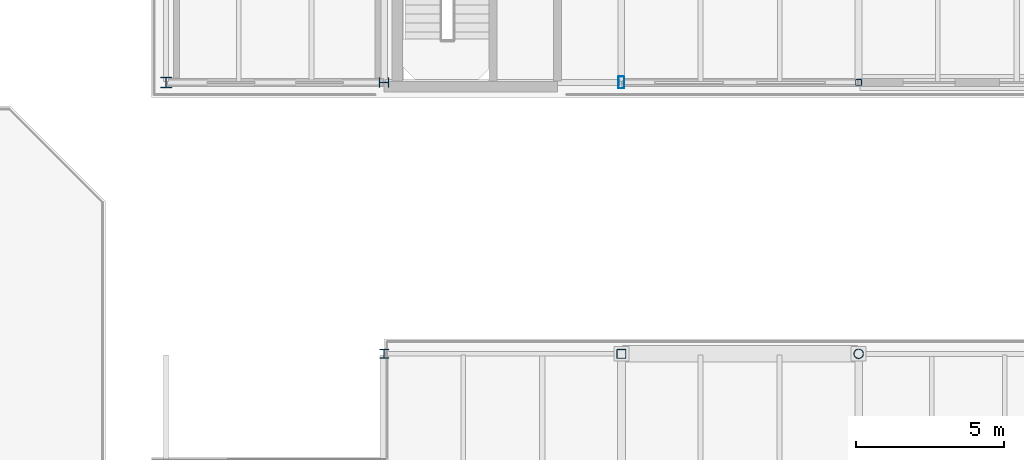
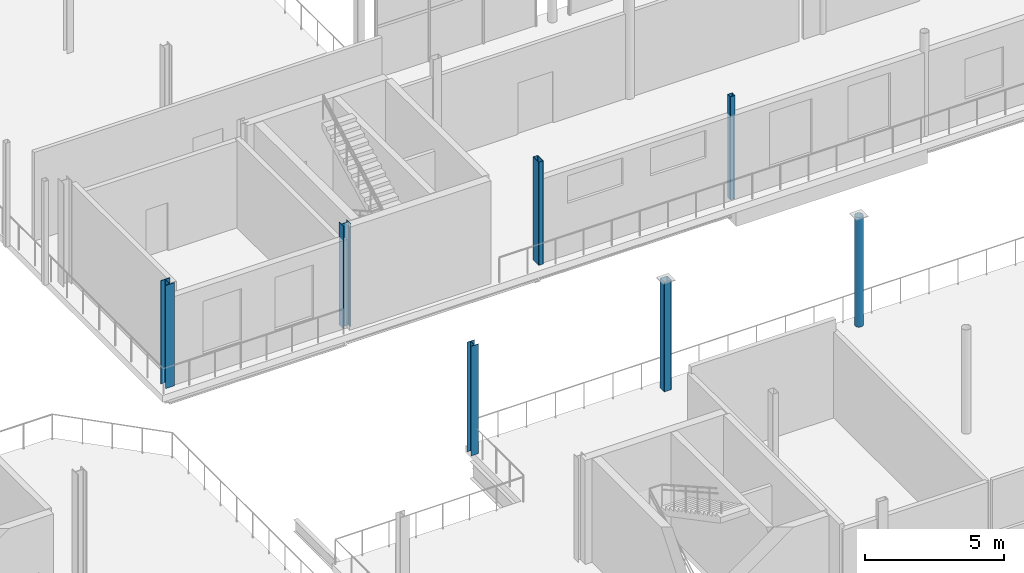
# One storey, part 23 of 93: 7 columns.
"""IFC4 building model written with IfcOpenShell, lengths in metres."""

from ifc_helpers import new_model, si_unit, direction, frame, origin, origin_2d, place, context, subcontext, project, spatial, hollow_rectangle, hollow_circle, i_section, extrude, material, material_profile, profile_set, type_object, element, save


model = new_model("IFC4")

# Units and contexts
model_context = context("Model", 3, precision=1e-05, world=origin(), true_north=direction((0.0, 1.0)))
body_context = subcontext(model_context, "Body", "Model", "MODEL_VIEW")
ifc_project = project(units=[si_unit("LENGTHUNIT", "METRE"), si_unit("AREAUNIT", "SQUARE_METRE"), si_unit("VOLUMEUNIT", "CUBIC_METRE"), si_unit("PLANEANGLEUNIT", "RADIAN"), si_unit("MASSUNIT", "GRAM", prefix="KILO")], contexts=[model_context])

# Site, building, storey
site_placement = place(None, origin())
site = spatial("IfcSite", under=ifc_project, at=site_placement, CompositionType="ELEMENT")
building_placement = place(site_placement, origin())
building = spatial("IfcBuilding", under=site, at=building_placement, Name="Brisemont Oceanarium", CompositionType="ELEMENT")
storey_placement = place(building_placement, frame((0.0, 0.0, 5.39990234375)))
storey = spatial("IfcBuildingStorey", under=building, at=storey_placement, Name="L01", CompositionType="ELEMENT", Elevation=5.39990234375)

# Columns
ifc_material_1 = material(Name="Structural Steel ASTM A500 Gr.C", Category="steel")
ifc_material_profile_1 = material_profile(ifc_material_1, hollow_circle(Radius=0.162109375, WallThickness=0.01171875, at=origin_2d()), Name="HSS12.750X0.500")
ifc_profile_set_1 = profile_set([ifc_material_profile_1], Name="Structural Steel ASTM A500 Gr.C")
column_type_1 = type_object("IfcColumnType", Name="COL-CHS12", PredefinedType="COLUMN", material=ifc_profile_set_1)
column_1_placement = place(storey_placement, frame((136.0, 71.5, 0.0), z_axis=(0.0, 0.0, 1.0), x_axis=(1.0, 0.0, 0.0)))
element("IfcColumn", 1, at=column_1_placement, inside=storey, type_object=column_type_1, Name="V5E L01 column (3,5)", PredefinedType="COLUMN", context=body_context, shape_type="SweptSolid", body=[
    extrude(hollow_circle(Radius=0.162109375, WallThickness=0.01171875, at=origin_2d()), origin(), (0.0, 0.0, 1.0), 4.800048828125),
])
ifc_material_2 = material(Name="Structural Steel ASTM A500 Gr.C", Category="steel")
ifc_material_profile_2 = material_profile(ifc_material_2, hollow_rectangle(XDim=0.304931640625, YDim=0.304931640625, WallThickness=0.01171875, InnerFilletRadius=0.01220703125, OuterFilletRadius=0.02392578125, at=origin_2d()), Name="HSS12X12X1/2")
ifc_profile_set_2 = profile_set([ifc_material_profile_2], Name="Structural Steel ASTM A500 Gr.C")
column_type_2 = type_object("IfcColumnType", Name="COL-HSS12X12", PredefinedType="COLUMN", material=ifc_profile_set_2)
column_2_placement = place(storey_placement, frame((128.0, 71.5, 0.0), z_axis=(0.0, 0.0, 1.0), x_axis=(0.0, 1.0, 0.0)))
element("IfcColumn", 2, at=column_2_placement, inside=storey, type_object=column_type_2, Name="V5E L01 column (2,5)", PredefinedType="COLUMN", context=body_context, shape_type="SweptSolid", body=[
    extrude(hollow_rectangle(XDim=0.304931640625, YDim=0.304931640625, WallThickness=0.01171875, InnerFilletRadius=0.01220703125, OuterFilletRadius=0.02392578125, at=origin_2d()), origin(), (0.0, 0.0, 1.0), 4.800048828125),
])
ifc_material_3 = material(Name="Structural Steel ASTM A500 Gr.C", Category="steel")
ifc_material_profile_3 = material_profile(ifc_material_3, hollow_rectangle(XDim=0.202880859375, YDim=0.406005859375, WallThickness=0.01171875, InnerFilletRadius=0.01220703125, OuterFilletRadius=0.02392578125, at=origin_2d()), Name="HSS16X8X1/2")
ifc_profile_set_3 = profile_set([ifc_material_profile_3], Name="Structural Steel ASTM A500 Gr.C")
column_type_3 = type_object("IfcColumnType", Name="COL-HSS16X8", PredefinedType="COLUMN", material=ifc_profile_set_3)
column_3_placement = place(storey_placement, frame((128.0, 80.64990234375, 0.0), z_axis=(0.0, 0.0, 1.0), x_axis=(1.0, 0.0, 0.0)))
element("IfcColumn", 3, at=column_3_placement, inside=storey, type_object=column_type_3, Name="V6 L01 column (2,0)", PredefinedType="COLUMN", context=body_context, shape_type="SweptSolid", body=[
    extrude(hollow_rectangle(XDim=0.202880859375, YDim=0.406005859375, WallThickness=0.01171875, InnerFilletRadius=0.01220703125, OuterFilletRadius=0.02392578125, at=origin_2d()), origin(), (0.0, 0.0, 1.0), 4.52001953125),
])
ifc_material_4 = material(Name="Structural Steel ASTM A500 Gr.C", Category="steel")
ifc_material_profile_4 = material_profile(ifc_material_4, hollow_rectangle(XDim=0.202880859375, YDim=0.202880859375, WallThickness=0.0087890625, InnerFilletRadius=0.009033203125, OuterFilletRadius=0.01806640625, at=origin_2d()), Name="HSS8X8X3/8")
ifc_profile_set_4 = profile_set([ifc_material_profile_4], Name="Structural Steel ASTM A500 Gr.C")
column_type_4 = type_object("IfcColumnType", Name="COL-HSS8X8", PredefinedType="COLUMN", material=ifc_profile_set_4)
column_4_placement = place(storey_placement, frame((136.0, 80.64990234375, 0.0), z_axis=(0.0, 0.0, 1.0), x_axis=(0.0, 1.0, 0.0)))
element("IfcColumn", 4, at=column_4_placement, inside=storey, type_object=column_type_4, Name="V6 L01 column (3,0)", PredefinedType="COLUMN", context=body_context, shape_type="SweptSolid", body=[
    extrude(hollow_rectangle(XDim=0.202880859375, YDim=0.202880859375, WallThickness=0.0087890625, InnerFilletRadius=0.009033203125, OuterFilletRadius=0.01806640625, at=origin_2d()), origin(), (0.0, 0.0, 1.0), 4.52001953125),
])
ifc_material_5 = material(Name="Structural Steel ASTM A992 Gr.50", Category="steel")
ifc_material_profile_5 = material_profile(ifc_material_5, i_section(OverallWidth=0.305908203125, OverallDepth=0.31103515625, WebThickness=0.010986328125, FlangeThickness=0.01708984375, FilletRadius=0.012939453125, at=origin_2d()), Name="W12X72")
ifc_profile_set_5 = profile_set([ifc_material_profile_5], Name="Structural Steel ASTM A992 Gr.50")
column_type_5 = type_object("IfcColumnType", Name="COL-W12X72", PredefinedType="COLUMN", material=ifc_profile_set_5)
column_5_placement = place(storey_placement, frame((120.0, 71.5, 0.0), z_axis=(0.0, 0.0, 1.0), x_axis=(1.0, 0.0, 0.0)))
element("IfcColumn", 5, at=column_5_placement, inside=storey, type_object=column_type_5, Name="V5E L01 column (1,5)", PredefinedType="COLUMN", context=body_context, shape_type="SweptSolid", body=[
    extrude(i_section(OverallWidth=0.305908203125, OverallDepth=0.31103515625, WebThickness=0.010986328125, FlangeThickness=0.01708984375, FilletRadius=0.012939453125, at=origin_2d()), origin(), (0.0, 0.0, 1.0), 4.800048828125),
])
ifc_material_6 = material(Name="Structural Steel ASTM A992 Gr.50", Category="steel")
ifc_material_profile_6 = material_profile(ifc_material_6, i_section(OverallWidth=0.306884765625, OverallDepth=0.31494140625, WebThickness=0.011962890625, FlangeThickness=0.018798828125, FilletRadius=0.012939453125, at=origin_2d()), Name="W12X79")
ifc_profile_set_6 = profile_set([ifc_material_profile_6], Name="Structural Steel ASTM A992 Gr.50")
column_type_6 = type_object("IfcColumnType", Name="COL-W12X79", PredefinedType="COLUMN", material=ifc_profile_set_6)
column_6_placement = place(storey_placement, frame((120.0, 80.64990234375, 0.0), z_axis=(0.0, 0.0, 1.0), x_axis=(0.0, 1.0, 0.0)))
element("IfcColumn", 6, at=column_6_placement, inside=storey, type_object=column_type_6, Name="V6 L01 column (1,0)", PredefinedType="COLUMN", context=body_context, shape_type="SweptSolid", body=[
    extrude(i_section(OverallWidth=0.306884765625, OverallDepth=0.31494140625, WebThickness=0.011962890625, FlangeThickness=0.018798828125, FilletRadius=0.012939453125, at=origin_2d()), origin(), (0.0, 0.0, 1.0), 4.52001953125),
])
ifc_material_7 = material(Name="Structural Steel ASTM A992 Gr.50", Category="steel")
ifc_material_profile_7 = material_profile(ifc_material_7, i_section(OverallWidth=0.373046875, OverallDepth=0.367919921875, WebThickness=0.014892578125, FlangeThickness=0.02392578125, FilletRadius=0.014892578125, at=origin_2d()), Name="W14X120")
ifc_profile_set_7 = profile_set([ifc_material_profile_7], Name="Structural Steel ASTM A992 Gr.50")
column_type_7 = type_object("IfcColumnType", Name="COL-W14X120", PredefinedType="COLUMN", material=ifc_profile_set_7)
column_7_placement = place(storey_placement, frame((112.64990234375, 80.64990234375, 0.0), z_axis=(0.0, 0.0, 1.0), x_axis=(1.0, 0.0, 0.0)))
element("IfcColumn", 7, at=column_7_placement, inside=storey, type_object=column_type_7, Name="V6 L01 column (0,0)", PredefinedType="COLUMN", context=body_context, shape_type="SweptSolid", body=[
    extrude(i_section(OverallWidth=0.373046875, OverallDepth=0.367919921875, WebThickness=0.014892578125, FlangeThickness=0.02392578125, FilletRadius=0.014892578125, at=origin_2d()), origin(), (0.0, 0.0, 1.0), 4.52001953125),
])

save(model, "model.ifc")
